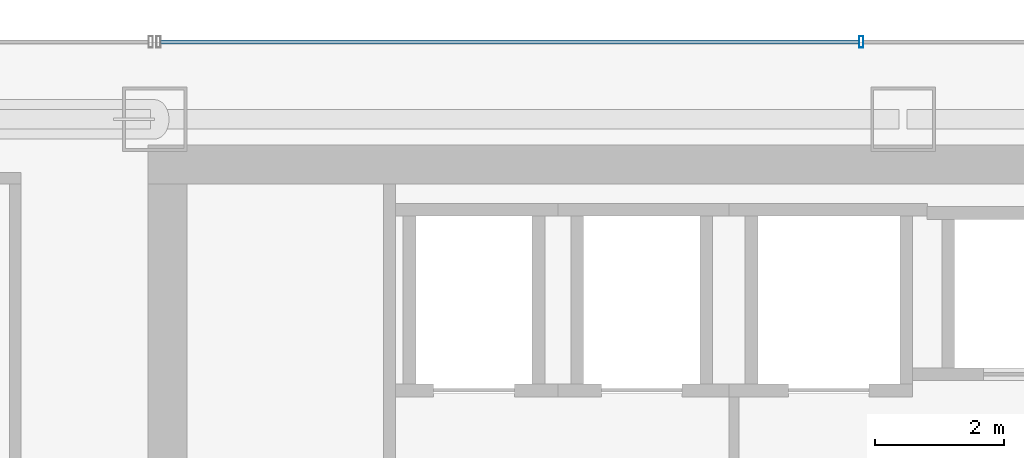
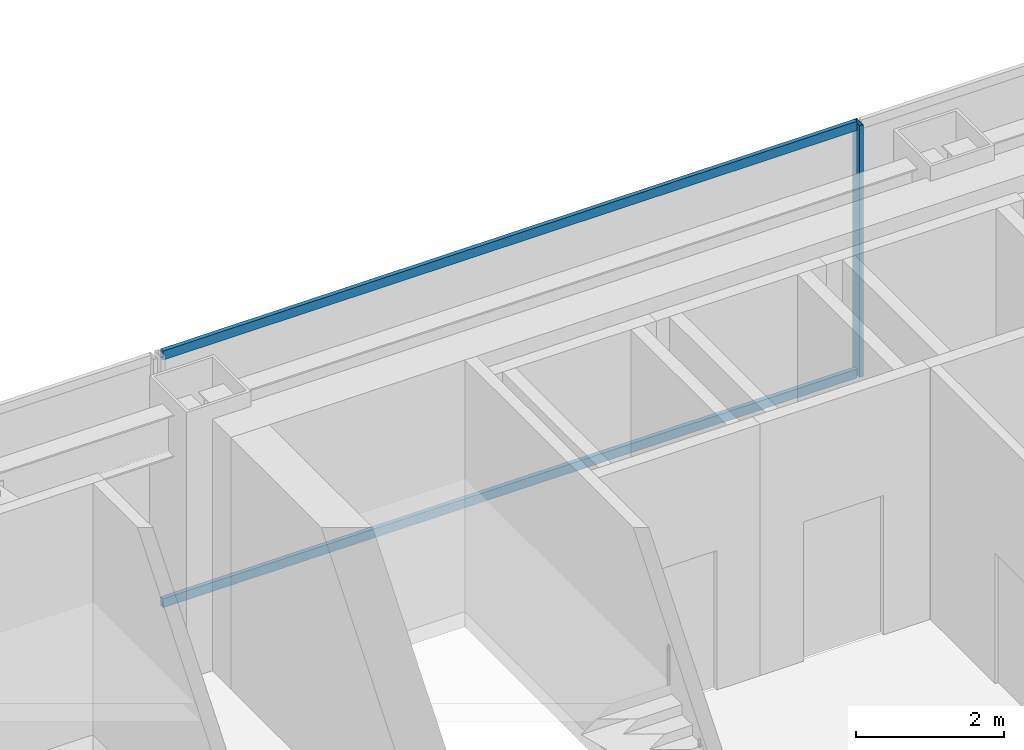
# One storey, part 24 of 37: 3 members, 1 element without a shape of its own.
"""IFC4 building model written with IfcOpenShell, lengths in metres."""

from ifc_helpers import new_model, si_unit, direction, frame, origin, origin_2d, place, context, subcontext, project, spatial, hollow_rectangle, extrude, material, material_profile, profile_set, type_object, element, aggregate, save


model = new_model("IFC4")

# Units and contexts
model_context = context("Model", 3, precision=1e-05, world=origin(), true_north=direction((0.0, 1.0)))
body_context = subcontext(model_context, "Body", "Model", "MODEL_VIEW")
ifc_project = project(units=[si_unit("LENGTHUNIT", "METRE"), si_unit("AREAUNIT", "SQUARE_METRE"), si_unit("VOLUMEUNIT", "CUBIC_METRE"), si_unit("PLANEANGLEUNIT", "RADIAN"), si_unit("MASSUNIT", "GRAM", prefix="KILO")], contexts=[model_context])

# Site, building, storey
site_placement = place(None, origin())
site = spatial("IfcSite", under=ifc_project, at=site_placement, CompositionType="ELEMENT")
building_placement = place(site_placement, origin())
building = spatial("IfcBuilding", under=site, at=building_placement, Name="Saevonmaru Cultural Tower", CompositionType="ELEMENT")
storey_placement = place(building_placement, frame((0.0, 0.0, 110.39990234375)))
storey = spatial("IfcBuildingStorey", under=building, at=storey_placement, Name="L23", CompositionType="ELEMENT", Elevation=110.39990234375)

# Curtain wall, members
ifc_material = material(Name="Satin Bronze Anodised Aluminium", Category="aluminium")
curtain_wall_type = type_object("IfcCurtainWallType", Name="CW-TYP-A", PredefinedType="NOTDEFINED", material=ifc_material)
curtain_wall_placement = place(storey_placement, origin())
curtain_wall = element("IfcCurtainWall", 1, at=curtain_wall_placement, inside=storey, type_object=curtain_wall_type, Name="L23 North Spine Unitised Curtain Wall E10B", PredefinedType="NOTDEFINED")
ifc_material_profile_1 = material_profile(ifc_material, hollow_rectangle(XDim=0.06494140625, YDim=0.179931640625, WallThickness=0.00390625, at=origin_2d()), Name="ALU-MULL-180x65x4")
ifc_profile_set_1 = profile_set([ifc_material_profile_1], Name="Satin Bronze Anodised Aluminium")
member_type_1 = type_object("IfcMemberType", Name="ML-CW-180x65", PredefinedType="MULLION", material=ifc_profile_set_1)
member_1_placement = place(storey_placement, frame((24.55322265625, 56.0, 0.0), z_axis=(0.0, 0.0, 1.0), x_axis=(-1.0, 0.0, 0.0)))
member_1 = element("IfcMember", 2, at=member_1_placement, type_object=member_type_1, Name="CW-TW-L23-E10B mullion 3", PredefinedType="MULLION", context=body_context, shape_type="SweptSolid", body=[
    extrude(hollow_rectangle(XDim=0.06494140625, YDim=0.179931640625, WallThickness=0.00390625, at=origin_2d()), origin(), (0.0, 0.0, 1.0), 4.150146484375),
])
ifc_material_profile_2 = material_profile(ifc_material, hollow_rectangle(XDim=0.06494140625, YDim=0.14990234375, WallThickness=0.00390625, at=origin_2d()), Name="ALU-TRAN-150x65x4")
ifc_profile_set_2 = profile_set([ifc_material_profile_2], Name="Satin Bronze Anodised Aluminium")
member_type_2 = type_object("IfcMemberType", Name="TR-CW-150x65", PredefinedType="USERDEFINED", material=ifc_profile_set_2)
member_2_placement = place(storey_placement, frame((24.520751953125, 56.0, 0.03271484375), z_axis=(-1.0, 0.0, 0.0), x_axis=(0.0, -1.0, 0.0)))
member_2 = element("IfcMember", 3, at=member_2_placement, type_object=member_type_2, Name="CW-TW-L23-E10B transom 3.1", ObjectType="TRANSOM", PredefinedType="USERDEFINED", context=body_context, shape_type="SweptSolid", body=[
    extrude(hollow_rectangle(XDim=0.06494140625, YDim=0.14990234375, WallThickness=0.00390625, at=origin_2d()), origin(), (0.0, 0.0, 1.0), 10.828369140625),
])
member_3_placement = place(storey_placement, frame((24.520751953125, 56.0, 4.11767578125), z_axis=(-1.0, 0.0, 0.0), x_axis=(0.0, -1.0, 0.0)))
member_3 = element("IfcMember", 4, at=member_3_placement, type_object=member_type_2, Name="CW-TW-L23-E10B transom 3.2", ObjectType="TRANSOM", PredefinedType="USERDEFINED", context=body_context, shape_type="SweptSolid", body=[
    extrude(hollow_rectangle(XDim=0.06494140625, YDim=0.14990234375, WallThickness=0.00390625, at=origin_2d()), origin(), (0.0, 0.0, 1.0), 10.828369140625),
])
aggregate(curtain_wall, [member_1, member_2, member_3])

save(model, "model.ifc")
